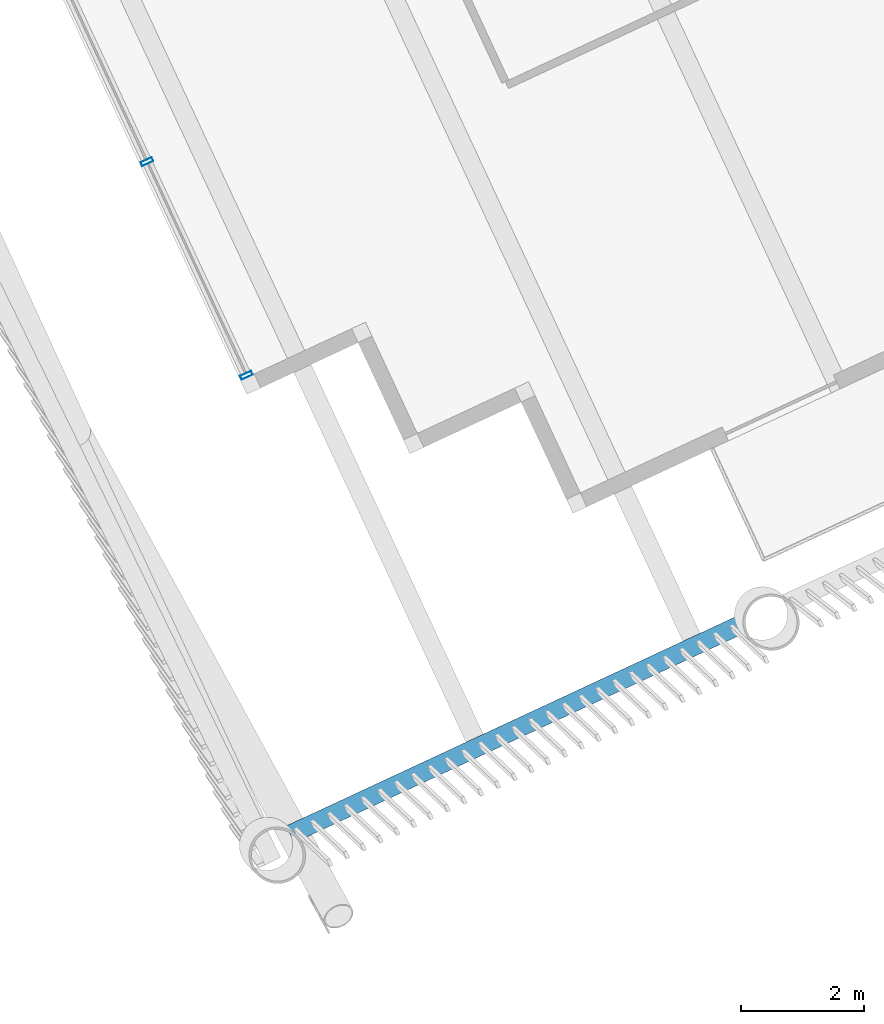
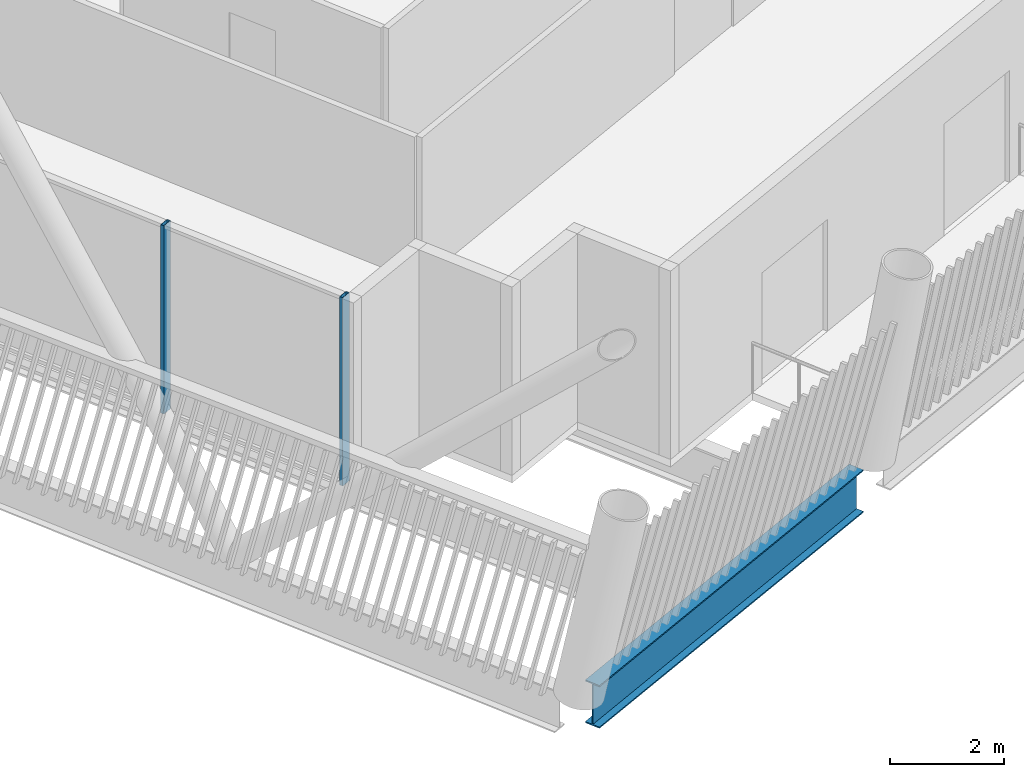
# One storey, part 2 of 36: 2 members, 1 beam, 1 element without a shape of its own.
"""IFC4 building model written with IfcOpenShell, lengths in metres."""

from ifc_helpers import new_model, si_unit, direction, frame, origin, origin_2d, place, context, subcontext, project, spatial, hollow_rectangle, i_section, extrude, material, layer, layer_set, material_profile, profile_set, type_object, element, aggregate, save


model = new_model("IFC4")

# Units and contexts
model_context = context("Model", 3, precision=1e-05, world=origin(), true_north=direction((0.0, 1.0)))
body_context = subcontext(model_context, "Body", "Model", "MODEL_VIEW")
ifc_project = project(units=[si_unit("LENGTHUNIT", "METRE"), si_unit("AREAUNIT", "SQUARE_METRE"), si_unit("VOLUMEUNIT", "CUBIC_METRE"), si_unit("PLANEANGLEUNIT", "RADIAN"), si_unit("MASSUNIT", "GRAM", prefix="KILO")], contexts=[model_context])

# Site, building, storey
site_placement = place(None, origin())
site = spatial("IfcSite", under=ifc_project, at=site_placement, CompositionType="ELEMENT")
building_placement = place(site_placement, origin())
building = spatial("IfcBuilding", under=site, at=building_placement, Name="Tarsis Ring Headquarters", CompositionType="ELEMENT")
storey_placement = place(building_placement, frame((0.0, 0.0, 386.0)))
storey = spatial("IfcBuildingStorey", under=building, at=storey_placement, Name="L91", CompositionType="ELEMENT", Elevation=386.0)

# Curtain wall, members
ifc_material_1 = material(Name="Aluminium curtain wall", Category="aluminium")
ifc_layer = layer(ifc_material_1, 0.199951171875)
ifc_layer_set = layer_set([ifc_layer], Name="Curtain wall executive tip")
curtain_wall_type = type_object("IfcCurtainWallType", Name="Curtain wall executive tip", PredefinedType="NOTDEFINED", material=ifc_layer_set)
curtain_wall_placement = place(storey_placement, origin())
curtain_wall = element("IfcCurtainWall", 1, at=curtain_wall_placement, inside=storey, type_object=curtain_wall_type, Name="Curtain wall L91-36", PredefinedType="NOTDEFINED")
ifc_material_2 = material(Name="Aluminium mullion", Category="aluminium")
ifc_material_profile_1 = material_profile(ifc_material_2, hollow_rectangle(XDim=0.199951171875, YDim=0.070068359375, WallThickness=0.0048828125, at=origin_2d()), Name="RHS 200x70x5")
ifc_profile_set_1 = profile_set([ifc_material_profile_1], Name="Aluminium mullion")
member_type = type_object("IfcMemberType", Name="Curtain wall mullion executive tip RHS 200x70x5", PredefinedType="MULLION", material=ifc_profile_set_1)
member_1_placement = place(storey_placement, frame((-34.515625, -20.33984375, 0.0), z_axis=(0.0, 0.0, 1.0), x_axis=(0.906602610845, 0.421985433409, 0.0)))
member_1 = element("IfcMember", 2, at=member_1_placement, type_object=member_type, Name="CW-E mullion 4", PredefinedType="MULLION", context=body_context, shape_type="SweptSolid", body=[
    extrude(hollow_rectangle(XDim=0.199951171875, YDim=0.070068359375, WallThickness=0.0048828125, at=origin_2d()), origin(), (0.0, 0.0, 1.0), 4.0400390625),
])
member_2_placement = place(storey_placement, frame((-32.895263671875, -23.821044921875, 0.0), z_axis=(0.0, 0.0, 1.0), x_axis=(0.906602610845, 0.421985433409, 0.0)))
member_2 = element("IfcMember", 3, at=member_2_placement, type_object=member_type, Name="CW-E mullion 5", PredefinedType="MULLION", context=body_context, shape_type="SweptSolid", body=[
    extrude(hollow_rectangle(XDim=0.199951171875, YDim=0.070068359375, WallThickness=0.0048828125, at=origin_2d()), origin(), (0.0, 0.0, 1.0), 4.0400390625),
])
aggregate(curtain_wall, [member_1, member_2])

# Beam
ifc_material_3 = material(Name="Structural steel S355", Category="steel")
ifc_material_profile_2 = material_profile(ifc_material_3, i_section(OverallWidth=0.3046875, OverallDepth=0.91943359375, WebThickness=0.017333984375, FlangeThickness=0.02783203125, at=origin_2d()), Name="W36x170")
ifc_profile_set_2 = profile_set([ifc_material_profile_2], Name="Structural steel S355")
beam_type = type_object("IfcBeamType", Name="XG Ring girder W36x170", PredefinedType="BEAM", material=ifc_profile_set_2)
beam_placement = place(storey_placement, frame((-32.18408203125, -31.30517578125, -0.459716796875), z_axis=(0.906598804637, 0.421993610651, 0.0), x_axis=(-0.421993610651, 0.906598804637, 0.0)))
element("IfcBeam", 4, at=beam_placement, inside=storey, type_object=beam_type, Name="Ring girder XG4", PredefinedType="BEAM", context=body_context, shape_type="SweptSolid", body=[
    extrude(i_section(OverallWidth=0.3046875, OverallDepth=0.91943359375, WebThickness=0.017333984375, FlangeThickness=0.02783203125, at=origin_2d()), origin(), (0.0, 0.0, 1.0), 8.079345703125),
])

save(model, "model.ifc")
